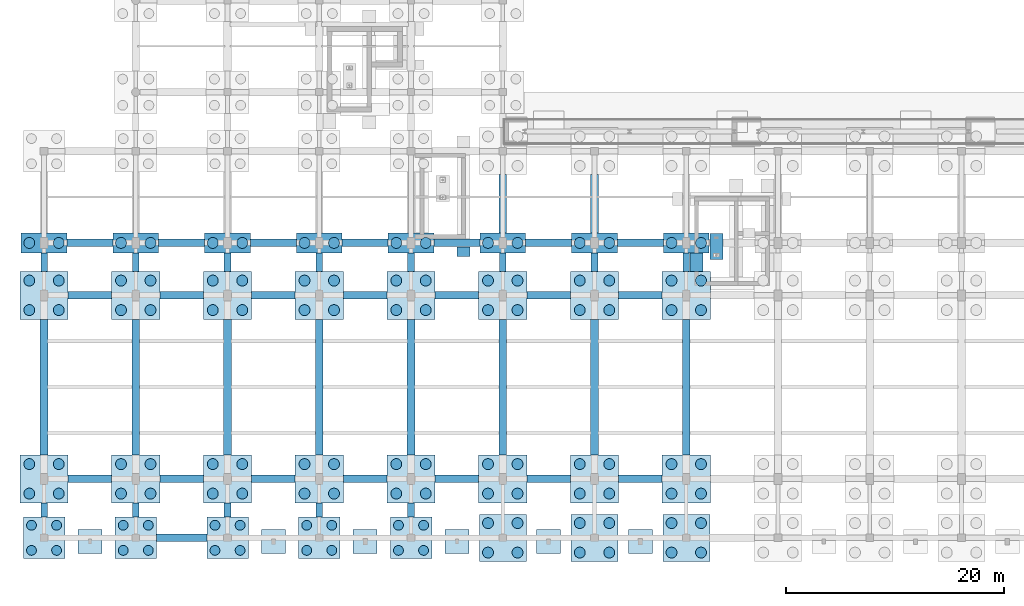
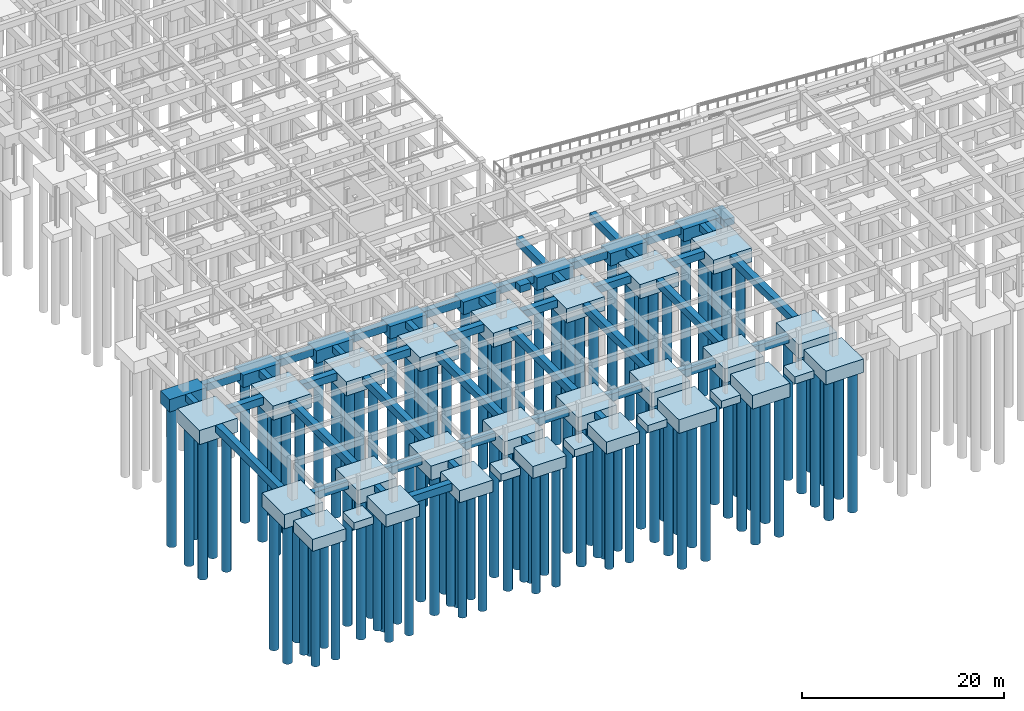
# One storey, part 1 of 49: 112 piles, 86 footings.
"""IFC4 building model written with IfcOpenShell, lengths in metres."""

from ifc_helpers import new_model, si_unit, direction, frame, origin, origin_2d, place, context, subcontext, project, spatial, rectangle, circle, extrude, material, material_profile, profile_set, type_object, element, save


model = new_model("IFC4")

# Units and contexts
model_context = context("Model", 3, precision=1e-05, world=origin(), true_north=direction((0.0, 1.0)))
body_context = subcontext(model_context, "Body", "Model", "MODEL_VIEW")
ifc_project = project(units=[si_unit("LENGTHUNIT", "METRE"), si_unit("AREAUNIT", "SQUARE_METRE"), si_unit("VOLUMEUNIT", "CUBIC_METRE"), si_unit("PLANEANGLEUNIT", "RADIAN"), si_unit("MASSUNIT", "GRAM", prefix="KILO")], contexts=[model_context])

# Site, building, storey
site_placement = place(None, origin())
site = spatial("IfcSite", under=ifc_project, at=site_placement, CompositionType="ELEMENT")
building_placement = place(site_placement, origin())
building = spatial("IfcBuilding", under=site, at=building_placement, Name="Krzemoval Escarpment Law Courts", CompositionType="ELEMENT")
storey_placement = place(building_placement, frame((0.0, 0.0, -4.800048828125)))
storey = spatial("IfcBuildingStorey", under=building, at=storey_placement, Name="B1", CompositionType="ELEMENT", Elevation=-4.800048828125)

# Footings
ifc_material_1 = material(Name="Concrete C35/45", Category="concrete")
footing_type_1 = type_object("IfcFootingType", Name="CAP-2P-4200x1800x1500", PredefinedType="PILE_CAP", material=ifc_material_1)
for number, where, z_axis, x_axis, name in (
    (1, (0.0, 27.0, -1.5), (0.0, 0.0, 1.0), (1.0, 0.0, 0.0), "Pile Cap FC-004"),
    (2, (8.39990234375, 27.0, -1.5), (0.0, 0.0, 1.0), (1.0, 0.0, 0.0), "Pile Cap FC-013"),
    (3, (16.800048828125, 27.0, -1.5), (0.0, 0.0, 1.0), (1.0, 0.0, 0.0), "Pile Cap FC-030"),
    (4, (25.199951171875, 27.0, -1.5), (0.0, 0.0, 1.0), (1.0, 0.0, 0.0), "Pile Cap FC-047"),
    (5, (33.60009765625, 27.0, -1.5), (0.0, 0.0, 1.0), (1.0, 0.0, 0.0), "Pile Cap FC-064"),
    (6, (42.0, 27.0, -1.5), (0.0, 0.0, 1.0), (1.0, 0.0, 0.0), "Pile Cap FC-081"),
    (7, (50.39990234375, 27.0, -1.5), (0.0, 0.0, 1.0), (1.0, 0.0, 0.0), "Pile Cap FC-098"),
    (8, (58.800048828125, 27.0, -1.5), (0.0, 0.0, 1.0), (1.0, 0.0, 0.0), "Pile Cap FC-106"),
):
    element("IfcFooting", number, at=place(storey_placement, frame(where, z_axis=z_axis, x_axis=x_axis)), inside=storey, type_object=footing_type_1, Name=name, PredefinedType="PILE_CAP", context=body_context, shape_type="SweptSolid", body=[
        extrude(rectangle(XDim=4.199951171875, YDim=1.800048828125, at=origin_2d()), origin(), (0.0, 0.0, 1.0), 1.5),
    ])
ifc_material_2 = material(Name="Concrete C35/45", Category="concrete")
footing_type_2 = type_object("IfcFootingType", Name="CAP-4P-3800x3800x1450", PredefinedType="PILE_CAP", material=ifc_material_2)
for number, where, z_axis, x_axis, name in (
    (9, (0.0, 0.0, -1.44970703125), (0.0, 0.0, 1.0), (1.0, 0.0, 0.0), "Pile Cap FC-001"),
    (10, (8.39990234375, 0.0, -1.44970703125), (0.0, 0.0, 1.0), (1.0, 0.0, 0.0), "Pile Cap FC-010"),
    (11, (16.800048828125, 0.0, -1.44970703125), (0.0, 0.0, 1.0), (1.0, 0.0, 0.0), "Pile Cap FC-027"),
    (12, (25.199951171875, 0.0, -1.44970703125), (0.0, 0.0, 1.0), (1.0, 0.0, 0.0), "Pile Cap FC-044"),
    (13, (33.60009765625, 0.0, -1.44970703125), (0.0, 0.0, 1.0), (1.0, 0.0, 0.0), "Pile Cap FC-061"),
):
    element("IfcFooting", number, at=place(storey_placement, frame(where, z_axis=z_axis, x_axis=x_axis)), inside=storey, type_object=footing_type_2, Name=name, PredefinedType="PILE_CAP", context=body_context, shape_type="SweptSolid", body=[
        extrude(rectangle(XDim=3.800048828125, YDim=3.800048828125, at=origin_2d()), origin(), (0.0, 0.0, 1.0), 1.449951171875),
    ])
ifc_material_3 = material(Name="Concrete C35/45", Category="concrete")
footing_type_3 = type_object("IfcFootingType", Name="CAP-4P-4300x4300x1650", PredefinedType="PILE_CAP", material=ifc_material_3)
for number, where, z_axis, x_axis, name in (
    (14, (42.0, 0.0, -1.64990234375), (0.0, 0.0, 1.0), (1.0, 0.0, 0.0), "Pile Cap FC-078"),
    (15, (50.39990234375, 0.0, -1.64990234375), (0.0, 0.0, 1.0), (1.0, 0.0, 0.0), "Pile Cap FC-095"),
    (16, (58.800048828125, 0.0, -1.64990234375), (0.0, 0.0, 1.0), (1.0, 0.0, 0.0), "Pile Cap FC-103"),
):
    element("IfcFooting", number, at=place(storey_placement, frame(where, z_axis=z_axis, x_axis=x_axis)), inside=storey, type_object=footing_type_3, Name=name, PredefinedType="PILE_CAP", context=body_context, shape_type="SweptSolid", body=[
        extrude(rectangle(XDim=4.300048828125, YDim=4.300048828125, at=origin_2d()), origin(), (0.0, 0.0, 1.0), 1.64990234375),
    ])
ifc_material_4 = material(Name="Concrete C35/45", Category="concrete")
footing_type_4 = type_object("IfcFootingType", Name="CAP-4P-4400x4400x1700", PredefinedType="PILE_CAP", material=ifc_material_4)
for number, where, z_axis, x_axis, name in (
    (17, (0.0, 5.39990234375, -1.69970703125), (0.0, 0.0, 1.0), (1.0, 0.0, 0.0), "Pile Cap FC-002"),
    (18, (0.0, 22.199951171875, -1.69970703125), (0.0, 0.0, 1.0), (1.0, 0.0, 0.0), "Pile Cap FC-003"),
    (19, (8.39990234375, 5.39990234375, -1.69970703125), (0.0, 0.0, 1.0), (1.0, 0.0, 0.0), "Pile Cap FC-011"),
    (20, (8.39990234375, 22.199951171875, -1.69970703125), (0.0, 0.0, 1.0), (1.0, 0.0, 0.0), "Pile Cap FC-012"),
    (21, (16.800048828125, 5.39990234375, -1.69970703125), (0.0, 0.0, 1.0), (1.0, 0.0, 0.0), "Pile Cap FC-028"),
    (22, (16.800048828125, 22.199951171875, -1.69970703125), (0.0, 0.0, 1.0), (1.0, 0.0, 0.0), "Pile Cap FC-029"),
    (23, (25.199951171875, 5.39990234375, -1.69970703125), (0.0, 0.0, 1.0), (1.0, 0.0, 0.0), "Pile Cap FC-045"),
    (24, (25.199951171875, 22.199951171875, -1.69970703125), (0.0, 0.0, 1.0), (1.0, 0.0, 0.0), "Pile Cap FC-046"),
    (25, (33.60009765625, 5.39990234375, -1.69970703125), (0.0, 0.0, 1.0), (1.0, 0.0, 0.0), "Pile Cap FC-062"),
    (26, (33.60009765625, 22.199951171875, -1.69970703125), (0.0, 0.0, 1.0), (1.0, 0.0, 0.0), "Pile Cap FC-063"),
    (27, (42.0, 5.39990234375, -1.69970703125), (0.0, 0.0, 1.0), (1.0, 0.0, 0.0), "Pile Cap FC-079"),
    (28, (42.0, 22.199951171875, -1.69970703125), (0.0, 0.0, 1.0), (1.0, 0.0, 0.0), "Pile Cap FC-080"),
    (29, (50.39990234375, 5.39990234375, -1.69970703125), (0.0, 0.0, 1.0), (1.0, 0.0, 0.0), "Pile Cap FC-096"),
    (30, (50.39990234375, 22.199951171875, -1.69970703125), (0.0, 0.0, 1.0), (1.0, 0.0, 0.0), "Pile Cap FC-097"),
    (31, (58.800048828125, 5.39990234375, -1.69970703125), (0.0, 0.0, 1.0), (1.0, 0.0, 0.0), "Pile Cap FC-104"),
    (32, (58.800048828125, 22.199951171875, -1.69970703125), (0.0, 0.0, 1.0), (1.0, 0.0, 0.0), "Pile Cap FC-105"),
):
    element("IfcFooting", number, at=place(storey_placement, frame(where, z_axis=z_axis, x_axis=x_axis)), inside=storey, type_object=footing_type_4, Name=name, PredefinedType="PILE_CAP", context=body_context, shape_type="SweptSolid", body=[
        extrude(rectangle(XDim=4.39990234375, YDim=4.39990234375, at=origin_2d()), origin(), (0.0, 0.0, 1.0), 1.699951171875),
    ])
ifc_material_5 = material(Name="Concrete C35/45", Category="concrete")
footing_type_5 = type_object("IfcFootingType", Name="GB-600x800-L1300", PredefinedType="FOOTING_BEAM", material=ifc_material_5)
for number, where, z_axis, x_axis, name in (
    (33, (0.0, 2.550048828125, -0.7998046875), (0.0, 0.0, 1.0), (0.0, 1.0, 0.0), "Ground Tie Beam GB-214"),
    (34, (8.39990234375, 2.550048828125, -0.7998046875), (0.0, 0.0, 1.0), (0.0, 1.0, 0.0), "Ground Tie Beam GB-221"),
    (35, (16.800048828125, 2.550048828125, -0.7998046875), (0.0, 0.0, 1.0), (0.0, 1.0, 0.0), "Ground Tie Beam GB-237"),
    (36, (25.199951171875, 2.550048828125, -0.7998046875), (0.0, 0.0, 1.0), (0.0, 1.0, 0.0), "Ground Tie Beam GB-253"),
    (37, (33.60009765625, 2.550048828125, -0.7998046875), (0.0, 0.0, 1.0), (0.0, 1.0, 0.0), "Ground Tie Beam GB-269"),
):
    element("IfcFooting", number, at=place(storey_placement, frame(where, z_axis=z_axis, x_axis=x_axis)), inside=storey, type_object=footing_type_5, Name=name, PredefinedType="FOOTING_BEAM", context=body_context, shape_type="SweptSolid", body=[
        extrude(rectangle(XDim=1.300048828125, YDim=0.60009765625, at=origin_2d()), origin(), (0.0, 0.0, 1.0), 0.800048828125),
    ])
ifc_material_6 = material(Name="Concrete C35/45", Category="concrete")
footing_type_6 = type_object("IfcFootingType", Name="GB-600x800-L1700", PredefinedType="FOOTING_BEAM", material=ifc_material_6)
for number, where, z_axis, x_axis, name in (
    (38, (0.0, 25.25, -0.7998046875), (0.0, 0.0, 1.0), (0.0, 1.0, 0.0), "Ground Tie Beam GB-216"),
    (39, (8.39990234375, 25.25, -0.7998046875), (0.0, 0.0, 1.0), (0.0, 1.0, 0.0), "Ground Tie Beam GB-223"),
    (40, (16.800048828125, 25.25, -0.7998046875), (0.0, 0.0, 1.0), (0.0, 1.0, 0.0), "Ground Tie Beam GB-239"),
    (41, (25.199951171875, 25.25, -0.7998046875), (0.0, 0.0, 1.0), (0.0, 1.0, 0.0), "Ground Tie Beam GB-255"),
    (42, (33.60009765625, 25.25, -0.7998046875), (0.0, 0.0, 1.0), (0.0, 1.0, 0.0), "Ground Tie Beam GB-271"),
    (43, (42.0, 25.25, -0.7998046875), (0.0, 0.0, 1.0), (0.0, 1.0, 0.0), "Ground Tie Beam GB-286"),
    (44, (50.39990234375, 25.25, -0.7998046875), (0.0, 0.0, 1.0), (0.0, 1.0, 0.0), "Ground Tie Beam GB-301"),
    (45, (58.800048828125, 25.25, -0.7998046875), (0.0, 0.0, 1.0), (0.0, 1.0, 0.0), "Ground Tie Beam GB-306"),
):
    element("IfcFooting", number, at=place(storey_placement, frame(where, z_axis=z_axis, x_axis=x_axis)), inside=storey, type_object=footing_type_6, Name=name, PredefinedType="FOOTING_BEAM", context=body_context, shape_type="SweptSolid", body=[
        extrude(rectangle(XDim=1.699951171875, YDim=0.60009765625, at=origin_2d()), origin(), (0.0, 0.0, 1.0), 0.800048828125),
    ])
ifc_material_7 = material(Name="Concrete C35/45", Category="concrete")
footing_type_7 = type_object("IfcFootingType", Name="GB-700x900-L12400", PredefinedType="FOOTING_BEAM", material=ifc_material_7)
for number, where, z_axis, x_axis, name in (
    (46, (0.0, 13.800048828125, -0.89990234375), (0.0, 0.0, 1.0), (0.0, 1.0, 0.0), "Ground Tie Beam GB-215"),
    (47, (8.39990234375, 13.800048828125, -0.89990234375), (0.0, 0.0, 1.0), (0.0, 1.0, 0.0), "Ground Tie Beam GB-222"),
    (48, (16.800048828125, 13.800048828125, -0.89990234375), (0.0, 0.0, 1.0), (0.0, 1.0, 0.0), "Ground Tie Beam GB-238"),
    (49, (25.199951171875, 13.800048828125, -0.89990234375), (0.0, 0.0, 1.0), (0.0, 1.0, 0.0), "Ground Tie Beam GB-254"),
    (50, (33.60009765625, 13.800048828125, -0.89990234375), (0.0, 0.0, 1.0), (0.0, 1.0, 0.0), "Ground Tie Beam GB-270"),
    (51, (42.0, 13.800048828125, -0.89990234375), (0.0, 0.0, 1.0), (0.0, 1.0, 0.0), "Ground Tie Beam GB-285"),
    (52, (50.39990234375, 13.800048828125, -0.89990234375), (0.0, 0.0, 1.0), (0.0, 1.0, 0.0), "Ground Tie Beam GB-300"),
    (53, (58.800048828125, 13.800048828125, -0.89990234375), (0.0, 0.0, 1.0), (0.0, 1.0, 0.0), "Ground Tie Beam GB-305"),
):
    element("IfcFooting", number, at=place(storey_placement, frame(where, z_axis=z_axis, x_axis=x_axis)), inside=storey, type_object=footing_type_7, Name=name, PredefinedType="FOOTING_BEAM", context=body_context, shape_type="SweptSolid", body=[
        extrude(rectangle(XDim=12.39990234375, YDim=0.699951171875, at=origin_2d()), origin(), (0.0, 0.0, 1.0), 0.89990234375),
    ])
ifc_material_8 = material(Name="Concrete C35/45", Category="concrete")
footing_type_8 = type_object("IfcFootingType", Name="GB-700x900-L4000", PredefinedType="FOOTING_BEAM", material=ifc_material_8)
for number, where, z_axis, x_axis, name in (
    (54, (4.199951171875, 5.39990234375, -0.89990234375), (0.0, 0.0, 1.0), (1.0, 0.0, 0.0), "Ground Tie Beam GB-007"),
    (55, (12.60009765625, 5.39990234375, -0.89990234375), (0.0, 0.0, 1.0), (1.0, 0.0, 0.0), "Ground Tie Beam GB-008"),
    (56, (21.0, 5.39990234375, -0.89990234375), (0.0, 0.0, 1.0), (1.0, 0.0, 0.0), "Ground Tie Beam GB-009"),
    (57, (29.39990234375, 5.39990234375, -0.89990234375), (0.0, 0.0, 1.0), (1.0, 0.0, 0.0), "Ground Tie Beam GB-010"),
    (58, (37.800048828125, 5.39990234375, -0.89990234375), (0.0, 0.0, 1.0), (1.0, 0.0, 0.0), "Ground Tie Beam GB-011"),
    (59, (46.199951171875, 5.39990234375, -0.89990234375), (0.0, 0.0, 1.0), (1.0, 0.0, 0.0), "Ground Tie Beam GB-012"),
    (60, (54.60009765625, 5.39990234375, -0.89990234375), (0.0, 0.0, 1.0), (1.0, 0.0, 0.0), "Ground Tie Beam GB-013"),
    (61, (4.199951171875, 22.199951171875, -0.89990234375), (0.0, 0.0, 1.0), (1.0, 0.0, 0.0), "Ground Tie Beam GB-025"),
    (62, (12.60009765625, 22.199951171875, -0.89990234375), (0.0, 0.0, 1.0), (1.0, 0.0, 0.0), "Ground Tie Beam GB-026"),
    (63, (21.0, 22.199951171875, -0.89990234375), (0.0, 0.0, 1.0), (1.0, 0.0, 0.0), "Ground Tie Beam GB-027"),
    (64, (29.39990234375, 22.199951171875, -0.89990234375), (0.0, 0.0, 1.0), (1.0, 0.0, 0.0), "Ground Tie Beam GB-028"),
    (65, (37.800048828125, 22.199951171875, -0.89990234375), (0.0, 0.0, 1.0), (1.0, 0.0, 0.0), "Ground Tie Beam GB-029"),
    (66, (46.199951171875, 22.199951171875, -0.89990234375), (0.0, 0.0, 1.0), (1.0, 0.0, 0.0), "Ground Tie Beam GB-030"),
    (67, (54.60009765625, 22.199951171875, -0.89990234375), (0.0, 0.0, 1.0), (1.0, 0.0, 0.0), "Ground Tie Beam GB-031"),
):
    element("IfcFooting", number, at=place(storey_placement, frame(where, z_axis=z_axis, x_axis=x_axis)), inside=storey, type_object=footing_type_8, Name=name, PredefinedType="FOOTING_BEAM", context=body_context, shape_type="SweptSolid", body=[
        extrude(rectangle(XDim=4.0, YDim=0.699951171875, at=origin_2d()), origin(), (0.0, 0.0, 1.0), 0.89990234375),
    ])
ifc_material_9 = material(Name="Concrete C35/45", Category="concrete")
footing_type_9 = type_object("IfcFootingType", Name="GB-700x900-L4200", PredefinedType="FOOTING_BEAM", material=ifc_material_9)
for number, where, z_axis, x_axis, name in (
    (68, (4.199951171875, 27.0, -0.89990234375), (0.0, 0.0, 1.0), (1.0, 0.0, 0.0), "Ground Tie Beam GB-043"),
    (69, (12.60009765625, 27.0, -0.89990234375), (0.0, 0.0, 1.0), (1.0, 0.0, 0.0), "Ground Tie Beam GB-044"),
    (70, (21.0, 27.0, -0.89990234375), (0.0, 0.0, 1.0), (1.0, 0.0, 0.0), "Ground Tie Beam GB-045"),
    (71, (29.39990234375, 27.0, -0.89990234375), (0.0, 0.0, 1.0), (1.0, 0.0, 0.0), "Ground Tie Beam GB-046"),
    (72, (37.800048828125, 27.0, -0.89990234375), (0.0, 0.0, 1.0), (1.0, 0.0, 0.0), "Ground Tie Beam GB-047"),
    (73, (46.199951171875, 27.0, -0.89990234375), (0.0, 0.0, 1.0), (1.0, 0.0, 0.0), "Ground Tie Beam GB-048"),
    (74, (54.60009765625, 27.0, -0.89990234375), (0.0, 0.0, 1.0), (1.0, 0.0, 0.0), "Ground Tie Beam GB-049"),
):
    element("IfcFooting", number, at=place(storey_placement, frame(where, z_axis=z_axis, x_axis=x_axis)), inside=storey, type_object=footing_type_9, Name=name, PredefinedType="FOOTING_BEAM", context=body_context, shape_type="SweptSolid", body=[
        extrude(rectangle(XDim=4.199951171875, YDim=0.699951171875, at=origin_2d()), origin(), (0.0, 0.0, 1.0), 0.89990234375),
    ])
ifc_material_10 = material(Name="Concrete C35/45", Category="concrete")
footing_type_10 = type_object("IfcFootingType", Name="GB-700x900-L4600", PredefinedType="FOOTING_BEAM", material=ifc_material_10)
footing_1_placement = place(storey_placement, frame((12.60009765625, 0.0, -0.89990234375), z_axis=(0.0, 0.0, 1.0), x_axis=(1.0, 0.0, 0.0)))
element("IfcFooting", 75, at=footing_1_placement, inside=storey, type_object=footing_type_10, Name="Ground Tie Beam GB-001", PredefinedType="FOOTING_BEAM", context=body_context, shape_type="SweptSolid", body=[
    extrude(rectangle(XDim=4.60009765625, YDim=0.699951171875, at=origin_2d()), origin(), (0.0, 0.0, 1.0), 0.89990234375),
])
ifc_material_11 = material(Name="Concrete C35/45", Category="concrete")
footing_type_11 = type_object("IfcFootingType", Name="GB-700x900-L5350", PredefinedType="FOOTING_BEAM", material=ifc_material_11)
for number, where, z_axis, x_axis, name in (
    (76, (42.0, 30.574951171875, -0.89990234375), (0.0, 0.0, 1.0), (0.0, 1.0, 0.0), "Ground Tie Beam GB-287"),
    (77, (50.39990234375, 30.574951171875, -0.89990234375), (0.0, 0.0, 1.0), (0.0, 1.0, 0.0), "Ground Tie Beam GB-302"),
):
    element("IfcFooting", number, at=place(storey_placement, frame(where, z_axis=z_axis, x_axis=x_axis)), inside=storey, type_object=footing_type_11, Name=name, PredefinedType="FOOTING_BEAM", context=body_context, shape_type="SweptSolid", body=[
        extrude(rectangle(XDim=5.35009765625, YDim=0.699951171875, at=origin_2d()), origin(), (0.0, 0.0, 1.0), 0.89990234375),
    ])
ifc_material_12 = material(Name="Concrete C35/45", Category="concrete")
footing_type_12 = type_object("IfcFootingType", Name="PAD-2200x2200x900", PredefinedType="PAD_FOOTING", material=ifc_material_12)
for number, where, z_axis, x_axis, name in (
    (78, (4.199951171875, -0.35009765625, -0.89990234375), (0.0, 0.0, 1.0), (1.0, 0.0, 0.0), "Pad Footing PF-008"),
    (79, (21.0, -0.35009765625, -0.89990234375), (0.0, 0.0, 1.0), (1.0, 0.0, 0.0), "Pad Footing PF-009"),
    (80, (29.39990234375, -0.35009765625, -0.89990234375), (0.0, 0.0, 1.0), (1.0, 0.0, 0.0), "Pad Footing PF-010"),
    (81, (37.800048828125, -0.35009765625, -0.89990234375), (0.0, 0.0, 1.0), (1.0, 0.0, 0.0), "Pad Footing PF-011"),
    (82, (46.199951171875, -0.35009765625, -0.89990234375), (0.0, 0.0, 1.0), (1.0, 0.0, 0.0), "Pad Footing PF-012"),
    (83, (54.60009765625, -0.35009765625, -0.89990234375), (0.0, 0.0, 1.0), (1.0, 0.0, 0.0), "Pad Footing PF-013"),
):
    element("IfcFooting", number, at=place(storey_placement, frame(where, z_axis=z_axis, x_axis=x_axis)), inside=storey, type_object=footing_type_12, Name=name, PredefinedType="PAD_FOOTING", context=body_context, shape_type="SweptSolid", body=[
        extrude(rectangle(XDim=2.199951171875, YDim=2.199951171875, at=origin_2d()), origin(), (0.0, 0.0, 1.0), 0.89990234375),
    ])

# Piles
ifc_material_13 = material(Name="Concrete C35/45", Category="concrete")
ifc_material_profile_1 = material_profile(ifc_material_13, circle(Radius=0.5, at=origin_2d()), Name="PILE D1000")
ifc_profile_set_1 = profile_set([ifc_material_profile_1], Name="Concrete C35/45")
pile_type_1 = type_object("IfcPileType", Name="PILE-D1000-17M", PredefinedType="BORED", material=ifc_profile_set_1)
for number, where, z_axis, x_axis, name in (
    (84, (-1.35009765625, 4.050048828125, -1.550048828125), (0.0, 0.0, -1.0), (1.0, 0.0, 0.0), "Bored Pile FP-0005"),
    (85, (1.35009765625, 4.050048828125, -1.550048828125), (0.0, 0.0, -1.0), (1.0, 0.0, 0.0), "Bored Pile FP-0006"),
    (86, (-1.35009765625, 6.75, -1.550048828125), (0.0, 0.0, -1.0), (1.0, 0.0, 0.0), "Bored Pile FP-0007"),
    (87, (1.35009765625, 6.75, -1.550048828125), (0.0, 0.0, -1.0), (1.0, 0.0, 0.0), "Bored Pile FP-0008"),
    (88, (-1.35009765625, 20.85009765625, -1.550048828125), (0.0, 0.0, -1.0), (1.0, 0.0, 0.0), "Bored Pile FP-0009"),
    (89, (1.35009765625, 20.85009765625, -1.550048828125), (0.0, 0.0, -1.0), (1.0, 0.0, 0.0), "Bored Pile FP-0010"),
    (90, (-1.35009765625, 23.550048828125, -1.550048828125), (0.0, 0.0, -1.0), (1.0, 0.0, 0.0), "Bored Pile FP-0011"),
    (91, (1.35009765625, 23.550048828125, -1.550048828125), (0.0, 0.0, -1.0), (1.0, 0.0, 0.0), "Bored Pile FP-0012"),
    (92, (-1.35009765625, 27.0, -1.349853515625), (0.0, 0.0, -1.0), (1.0, 0.0, 0.0), "Bored Pile FP-0013"),
    (93, (1.35009765625, 27.0, -1.349853515625), (0.0, 0.0, -1.0), (1.0, 0.0, 0.0), "Bored Pile FP-0014"),
    (94, (7.050048828125, 4.050048828125, -1.550048828125), (0.0, 0.0, -1.0), (1.0, 0.0, 0.0), "Bored Pile FP-0039"),
    (95, (9.75, 4.050048828125, -1.550048828125), (0.0, 0.0, -1.0), (1.0, 0.0, 0.0), "Bored Pile FP-0040"),
    (96, (7.050048828125, 6.75, -1.550048828125), (0.0, 0.0, -1.0), (1.0, 0.0, 0.0), "Bored Pile FP-0041"),
    (97, (9.75, 6.75, -1.550048828125), (0.0, 0.0, -1.0), (1.0, 0.0, 0.0), "Bored Pile FP-0042"),
    (98, (7.050048828125, 20.85009765625, -1.550048828125), (0.0, 0.0, -1.0), (1.0, 0.0, 0.0), "Bored Pile FP-0043"),
    (99, (9.75, 20.85009765625, -1.550048828125), (0.0, 0.0, -1.0), (1.0, 0.0, 0.0), "Bored Pile FP-0044"),
    (100, (7.050048828125, 23.550048828125, -1.550048828125), (0.0, 0.0, -1.0), (1.0, 0.0, 0.0), "Bored Pile FP-0045"),
    (101, (9.75, 23.550048828125, -1.550048828125), (0.0, 0.0, -1.0), (1.0, 0.0, 0.0), "Bored Pile FP-0046"),
    (102, (7.050048828125, 27.0, -1.349853515625), (0.0, 0.0, -1.0), (1.0, 0.0, 0.0), "Bored Pile FP-0047"),
    (103, (9.75, 27.0, -1.349853515625), (0.0, 0.0, -1.0), (1.0, 0.0, 0.0), "Bored Pile FP-0048"),
    (104, (15.449951171875, 4.050048828125, -1.550048828125), (0.0, 0.0, -1.0), (1.0, 0.0, 0.0), "Bored Pile FP-0099"),
    (105, (18.14990234375, 4.050048828125, -1.550048828125), (0.0, 0.0, -1.0), (1.0, 0.0, 0.0), "Bored Pile FP-0100"),
    (106, (15.449951171875, 6.75, -1.550048828125), (0.0, 0.0, -1.0), (1.0, 0.0, 0.0), "Bored Pile FP-0101"),
    (107, (18.14990234375, 6.75, -1.550048828125), (0.0, 0.0, -1.0), (1.0, 0.0, 0.0), "Bored Pile FP-0102"),
    (108, (15.449951171875, 20.85009765625, -1.550048828125), (0.0, 0.0, -1.0), (1.0, 0.0, 0.0), "Bored Pile FP-0103"),
    (109, (18.14990234375, 20.85009765625, -1.550048828125), (0.0, 0.0, -1.0), (1.0, 0.0, 0.0), "Bored Pile FP-0104"),
    (110, (15.449951171875, 23.550048828125, -1.550048828125), (0.0, 0.0, -1.0), (1.0, 0.0, 0.0), "Bored Pile FP-0105"),
    (111, (18.14990234375, 23.550048828125, -1.550048828125), (0.0, 0.0, -1.0), (1.0, 0.0, 0.0), "Bored Pile FP-0106"),
    (112, (15.449951171875, 27.0, -1.349853515625), (0.0, 0.0, -1.0), (1.0, 0.0, 0.0), "Bored Pile FP-0107"),
    (113, (18.14990234375, 27.0, -1.349853515625), (0.0, 0.0, -1.0), (1.0, 0.0, 0.0), "Bored Pile FP-0108"),
    (114, (23.85009765625, 4.050048828125, -1.550048828125), (0.0, 0.0, -1.0), (1.0, 0.0, 0.0), "Bored Pile FP-0159"),
    (115, (26.550048828125, 4.050048828125, -1.550048828125), (0.0, 0.0, -1.0), (1.0, 0.0, 0.0), "Bored Pile FP-0160"),
    (116, (23.85009765625, 6.75, -1.550048828125), (0.0, 0.0, -1.0), (1.0, 0.0, 0.0), "Bored Pile FP-0161"),
    (117, (26.550048828125, 6.75, -1.550048828125), (0.0, 0.0, -1.0), (1.0, 0.0, 0.0), "Bored Pile FP-0162"),
    (118, (23.85009765625, 20.85009765625, -1.550048828125), (0.0, 0.0, -1.0), (1.0, 0.0, 0.0), "Bored Pile FP-0163"),
    (119, (26.550048828125, 20.85009765625, -1.550048828125), (0.0, 0.0, -1.0), (1.0, 0.0, 0.0), "Bored Pile FP-0164"),
    (120, (23.85009765625, 23.550048828125, -1.550048828125), (0.0, 0.0, -1.0), (1.0, 0.0, 0.0), "Bored Pile FP-0165"),
    (121, (26.550048828125, 23.550048828125, -1.550048828125), (0.0, 0.0, -1.0), (1.0, 0.0, 0.0), "Bored Pile FP-0166"),
    (122, (23.85009765625, 27.0, -1.349853515625), (0.0, 0.0, -1.0), (1.0, 0.0, 0.0), "Bored Pile FP-0167"),
    (123, (26.550048828125, 27.0, -1.349853515625), (0.0, 0.0, -1.0), (1.0, 0.0, 0.0), "Bored Pile FP-0168"),
    (124, (32.25, 4.050048828125, -1.550048828125), (0.0, 0.0, -1.0), (1.0, 0.0, 0.0), "Bored Pile FP-0219"),
    (125, (34.949951171875, 4.050048828125, -1.550048828125), (0.0, 0.0, -1.0), (1.0, 0.0, 0.0), "Bored Pile FP-0220"),
    (126, (32.25, 6.75, -1.550048828125), (0.0, 0.0, -1.0), (1.0, 0.0, 0.0), "Bored Pile FP-0221"),
    (127, (34.949951171875, 6.75, -1.550048828125), (0.0, 0.0, -1.0), (1.0, 0.0, 0.0), "Bored Pile FP-0222"),
    (128, (32.25, 20.85009765625, -1.550048828125), (0.0, 0.0, -1.0), (1.0, 0.0, 0.0), "Bored Pile FP-0223"),
    (129, (34.949951171875, 20.85009765625, -1.550048828125), (0.0, 0.0, -1.0), (1.0, 0.0, 0.0), "Bored Pile FP-0224"),
    (130, (32.25, 23.550048828125, -1.550048828125), (0.0, 0.0, -1.0), (1.0, 0.0, 0.0), "Bored Pile FP-0225"),
    (131, (34.949951171875, 23.550048828125, -1.550048828125), (0.0, 0.0, -1.0), (1.0, 0.0, 0.0), "Bored Pile FP-0226"),
    (132, (32.25, 27.0, -1.349853515625), (0.0, 0.0, -1.0), (1.0, 0.0, 0.0), "Bored Pile FP-0227"),
    (133, (34.949951171875, 27.0, -1.349853515625), (0.0, 0.0, -1.0), (1.0, 0.0, 0.0), "Bored Pile FP-0228"),
    (134, (40.64990234375, -1.35009765625, -1.5), (0.0, 0.0, -1.0), (1.0, 0.0, 0.0), "Bored Pile FP-0275"),
    (135, (43.35009765625, -1.35009765625, -1.5), (0.0, 0.0, -1.0), (1.0, 0.0, 0.0), "Bored Pile FP-0276"),
    (136, (40.64990234375, 1.35009765625, -1.5), (0.0, 0.0, -1.0), (1.0, 0.0, 0.0), "Bored Pile FP-0277"),
    (137, (43.35009765625, 1.35009765625, -1.5), (0.0, 0.0, -1.0), (1.0, 0.0, 0.0), "Bored Pile FP-0278"),
    (138, (40.64990234375, 4.050048828125, -1.550048828125), (0.0, 0.0, -1.0), (1.0, 0.0, 0.0), "Bored Pile FP-0279"),
    (139, (43.35009765625, 4.050048828125, -1.550048828125), (0.0, 0.0, -1.0), (1.0, 0.0, 0.0), "Bored Pile FP-0280"),
    (140, (40.64990234375, 6.75, -1.550048828125), (0.0, 0.0, -1.0), (1.0, 0.0, 0.0), "Bored Pile FP-0281"),
    (141, (43.35009765625, 6.75, -1.550048828125), (0.0, 0.0, -1.0), (1.0, 0.0, 0.0), "Bored Pile FP-0282"),
    (142, (40.64990234375, 20.85009765625, -1.550048828125), (0.0, 0.0, -1.0), (1.0, 0.0, 0.0), "Bored Pile FP-0283"),
    (143, (43.35009765625, 20.85009765625, -1.550048828125), (0.0, 0.0, -1.0), (1.0, 0.0, 0.0), "Bored Pile FP-0284"),
    (144, (40.64990234375, 23.550048828125, -1.550048828125), (0.0, 0.0, -1.0), (1.0, 0.0, 0.0), "Bored Pile FP-0285"),
    (145, (43.35009765625, 23.550048828125, -1.550048828125), (0.0, 0.0, -1.0), (1.0, 0.0, 0.0), "Bored Pile FP-0286"),
    (146, (40.64990234375, 27.0, -1.349853515625), (0.0, 0.0, -1.0), (1.0, 0.0, 0.0), "Bored Pile FP-0287"),
    (147, (43.35009765625, 27.0, -1.349853515625), (0.0, 0.0, -1.0), (1.0, 0.0, 0.0), "Bored Pile FP-0288"),
    (148, (49.050048828125, -1.35009765625, -1.5), (0.0, 0.0, -1.0), (1.0, 0.0, 0.0), "Bored Pile FP-0335"),
    (149, (51.75, -1.35009765625, -1.5), (0.0, 0.0, -1.0), (1.0, 0.0, 0.0), "Bored Pile FP-0336"),
    (150, (49.050048828125, 1.35009765625, -1.5), (0.0, 0.0, -1.0), (1.0, 0.0, 0.0), "Bored Pile FP-0337"),
    (151, (51.75, 1.35009765625, -1.5), (0.0, 0.0, -1.0), (1.0, 0.0, 0.0), "Bored Pile FP-0338"),
    (152, (49.050048828125, 4.050048828125, -1.550048828125), (0.0, 0.0, -1.0), (1.0, 0.0, 0.0), "Bored Pile FP-0339"),
    (153, (51.75, 4.050048828125, -1.550048828125), (0.0, 0.0, -1.0), (1.0, 0.0, 0.0), "Bored Pile FP-0340"),
    (154, (49.050048828125, 6.75, -1.550048828125), (0.0, 0.0, -1.0), (1.0, 0.0, 0.0), "Bored Pile FP-0341"),
    (155, (51.75, 6.75, -1.550048828125), (0.0, 0.0, -1.0), (1.0, 0.0, 0.0), "Bored Pile FP-0342"),
    (156, (49.050048828125, 20.85009765625, -1.550048828125), (0.0, 0.0, -1.0), (1.0, 0.0, 0.0), "Bored Pile FP-0343"),
    (157, (51.75, 20.85009765625, -1.550048828125), (0.0, 0.0, -1.0), (1.0, 0.0, 0.0), "Bored Pile FP-0344"),
    (158, (49.050048828125, 23.550048828125, -1.550048828125), (0.0, 0.0, -1.0), (1.0, 0.0, 0.0), "Bored Pile FP-0345"),
    (159, (51.75, 23.550048828125, -1.550048828125), (0.0, 0.0, -1.0), (1.0, 0.0, 0.0), "Bored Pile FP-0346"),
    (160, (49.050048828125, 27.0, -1.349853515625), (0.0, 0.0, -1.0), (1.0, 0.0, 0.0), "Bored Pile FP-0347"),
    (161, (51.75, 27.0, -1.349853515625), (0.0, 0.0, -1.0), (1.0, 0.0, 0.0), "Bored Pile FP-0348"),
    (162, (57.449951171875, -1.35009765625, -1.5), (0.0, 0.0, -1.0), (1.0, 0.0, 0.0), "Bored Pile FP-0365"),
    (163, (60.14990234375, -1.35009765625, -1.5), (0.0, 0.0, -1.0), (1.0, 0.0, 0.0), "Bored Pile FP-0366"),
    (164, (57.449951171875, 1.35009765625, -1.5), (0.0, 0.0, -1.0), (1.0, 0.0, 0.0), "Bored Pile FP-0367"),
    (165, (60.14990234375, 1.35009765625, -1.5), (0.0, 0.0, -1.0), (1.0, 0.0, 0.0), "Bored Pile FP-0368"),
    (166, (57.449951171875, 4.050048828125, -1.550048828125), (0.0, 0.0, -1.0), (1.0, 0.0, 0.0), "Bored Pile FP-0369"),
    (167, (60.14990234375, 4.050048828125, -1.550048828125), (0.0, 0.0, -1.0), (1.0, 0.0, 0.0), "Bored Pile FP-0370"),
    (168, (57.449951171875, 6.75, -1.550048828125), (0.0, 0.0, -1.0), (1.0, 0.0, 0.0), "Bored Pile FP-0371"),
    (169, (60.14990234375, 6.75, -1.550048828125), (0.0, 0.0, -1.0), (1.0, 0.0, 0.0), "Bored Pile FP-0372"),
    (170, (57.449951171875, 20.85009765625, -1.550048828125), (0.0, 0.0, -1.0), (1.0, 0.0, 0.0), "Bored Pile FP-0373"),
    (171, (60.14990234375, 20.85009765625, -1.550048828125), (0.0, 0.0, -1.0), (1.0, 0.0, 0.0), "Bored Pile FP-0374"),
    (172, (57.449951171875, 23.550048828125, -1.550048828125), (0.0, 0.0, -1.0), (1.0, 0.0, 0.0), "Bored Pile FP-0375"),
    (173, (60.14990234375, 23.550048828125, -1.550048828125), (0.0, 0.0, -1.0), (1.0, 0.0, 0.0), "Bored Pile FP-0376"),
    (174, (57.449951171875, 27.0, -1.349853515625), (0.0, 0.0, -1.0), (1.0, 0.0, 0.0), "Bored Pile FP-0377"),
    (175, (60.14990234375, 27.0, -1.349853515625), (0.0, 0.0, -1.0), (1.0, 0.0, 0.0), "Bored Pile FP-0378"),
):
    element("IfcPile", number, at=place(storey_placement, frame(where, z_axis=z_axis, x_axis=x_axis)), inside=storey, type_object=pile_type_1, Name=name, PredefinedType="BORED", context=body_context, shape_type="SweptSolid", body=[
        extrude(circle(Radius=0.5, at=origin_2d()), origin(), (0.0, 0.0, 1.0), 17.0),
    ])
ifc_material_14 = material(Name="Concrete C35/45", Category="concrete")
ifc_material_profile_2 = material_profile(ifc_material_14, circle(Radius=0.449951171875, at=origin_2d()), Name="PILE D900")
ifc_profile_set_2 = profile_set([ifc_material_profile_2], Name="Concrete C35/45")
pile_type_2 = type_object("IfcPileType", Name="PILE-D750-14M", PredefinedType="BORED", material=ifc_profile_set_2)
for number, where, z_axis, x_axis, name in (
    (176, (-1.14990234375, -1.14990234375, -1.300048828125), (0.0, 0.0, -1.0), (1.0, 0.0, 0.0), "Bored Pile FP-0001"),
    (177, (1.14990234375, -1.14990234375, -1.300048828125), (0.0, 0.0, -1.0), (1.0, 0.0, 0.0), "Bored Pile FP-0002"),
    (178, (-1.14990234375, 1.14990234375, -1.300048828125), (0.0, 0.0, -1.0), (1.0, 0.0, 0.0), "Bored Pile FP-0003"),
    (179, (1.14990234375, 1.14990234375, -1.300048828125), (0.0, 0.0, -1.0), (1.0, 0.0, 0.0), "Bored Pile FP-0004"),
    (180, (7.25, -1.14990234375, -1.300048828125), (0.0, 0.0, -1.0), (1.0, 0.0, 0.0), "Bored Pile FP-0035"),
    (181, (9.550048828125, -1.14990234375, -1.300048828125), (0.0, 0.0, -1.0), (1.0, 0.0, 0.0), "Bored Pile FP-0036"),
    (182, (7.25, 1.14990234375, -1.300048828125), (0.0, 0.0, -1.0), (1.0, 0.0, 0.0), "Bored Pile FP-0037"),
    (183, (9.550048828125, 1.14990234375, -1.300048828125), (0.0, 0.0, -1.0), (1.0, 0.0, 0.0), "Bored Pile FP-0038"),
    (184, (15.64990234375, -1.14990234375, -1.300048828125), (0.0, 0.0, -1.0), (1.0, 0.0, 0.0), "Bored Pile FP-0095"),
    (185, (17.949951171875, -1.14990234375, -1.300048828125), (0.0, 0.0, -1.0), (1.0, 0.0, 0.0), "Bored Pile FP-0096"),
    (186, (15.64990234375, 1.14990234375, -1.300048828125), (0.0, 0.0, -1.0), (1.0, 0.0, 0.0), "Bored Pile FP-0097"),
    (187, (17.949951171875, 1.14990234375, -1.300048828125), (0.0, 0.0, -1.0), (1.0, 0.0, 0.0), "Bored Pile FP-0098"),
    (188, (24.050048828125, -1.14990234375, -1.300048828125), (0.0, 0.0, -1.0), (1.0, 0.0, 0.0), "Bored Pile FP-0155"),
    (189, (26.35009765625, -1.14990234375, -1.300048828125), (0.0, 0.0, -1.0), (1.0, 0.0, 0.0), "Bored Pile FP-0156"),
    (190, (24.050048828125, 1.14990234375, -1.300048828125), (0.0, 0.0, -1.0), (1.0, 0.0, 0.0), "Bored Pile FP-0157"),
    (191, (26.35009765625, 1.14990234375, -1.300048828125), (0.0, 0.0, -1.0), (1.0, 0.0, 0.0), "Bored Pile FP-0158"),
    (192, (32.449951171875, -1.14990234375, -1.300048828125), (0.0, 0.0, -1.0), (1.0, 0.0, 0.0), "Bored Pile FP-0215"),
    (193, (34.75, -1.14990234375, -1.300048828125), (0.0, 0.0, -1.0), (1.0, 0.0, 0.0), "Bored Pile FP-0216"),
    (194, (32.449951171875, 1.14990234375, -1.300048828125), (0.0, 0.0, -1.0), (1.0, 0.0, 0.0), "Bored Pile FP-0217"),
    (195, (34.75, 1.14990234375, -1.300048828125), (0.0, 0.0, -1.0), (1.0, 0.0, 0.0), "Bored Pile FP-0218"),
):
    element("IfcPile", number, at=place(storey_placement, frame(where, z_axis=z_axis, x_axis=x_axis)), inside=storey, type_object=pile_type_2, Name=name, PredefinedType="BORED", context=body_context, shape_type="SweptSolid", body=[
        extrude(circle(Radius=0.449951171875, at=origin_2d()), origin(), (0.0, 0.0, 1.0), 14.5),
    ])

# Footings
ifc_material_15 = material(Name="Concrete C35/45", Category="concrete")
footing_type_13 = type_object("IfcFootingType", Name="SF-1200x850-L1690", PredefinedType="STRIP_FOOTING", material=ifc_material_15)
footing_2_placement = place(storey_placement, frame((59.72509765625, 25.25, -0.85009765625), z_axis=(0.0, 0.0, 1.0), x_axis=(0.0, 1.0, 0.0)))
element("IfcFooting", 196, at=footing_2_placement, inside=storey, type_object=footing_type_13, Name="Wall Strip Footing SF-007", PredefinedType="STRIP_FOOTING", context=body_context, shape_type="SweptSolid", body=[
    extrude(rectangle(XDim=1.68994140625, YDim=1.199951171875, at=origin_2d()), origin(), (0.0, 0.0, 1.0), 0.85009765625),
])
ifc_material_16 = material(Name="Concrete C35/45", Category="concrete")
footing_type_14 = type_object("IfcFootingType", Name="SF-1200x850-L2400", PredefinedType="STRIP_FOOTING", material=ifc_material_16)
footing_3_placement = place(storey_placement, frame((61.550048828125, 26.679931640625, -0.85009765625), z_axis=(0.0, 0.0, 1.0), x_axis=(0.0, 1.0, 0.0)))
element("IfcFooting", 197, at=footing_3_placement, inside=storey, type_object=footing_type_14, Name="Stair Well Footing PF-SCP-C4", PredefinedType="STRIP_FOOTING", context=body_context, shape_type="SweptSolid", body=[
    extrude(rectangle(XDim=2.39990234375, YDim=1.199951171875, at=origin_2d()), origin(), (0.0, 0.0, 1.0), 0.85009765625),
])
ifc_material_17 = material(Name="Concrete C35/45", Category="concrete")
footing_type_15 = type_object("IfcFootingType", Name="SF-893x850-L1200", PredefinedType="STRIP_FOOTING", material=ifc_material_17)
footing_4_placement = place(storey_placement, frame((38.39990234375, 26.197998046875, -0.85009765625), z_axis=(0.0, 0.0, 1.0), x_axis=(1.0, 0.0, 0.0)))
element("IfcFooting", 198, at=footing_4_placement, inside=storey, type_object=footing_type_15, Name="Wall Strip Footing SF-030", PredefinedType="STRIP_FOOTING", context=body_context, shape_type="SweptSolid", body=[
    extrude(rectangle(XDim=1.199951171875, YDim=0.89306640625, at=origin_2d()), origin(), (0.0, 0.0, 1.0), 0.85009765625),
])

save(model, "model.ifc")
